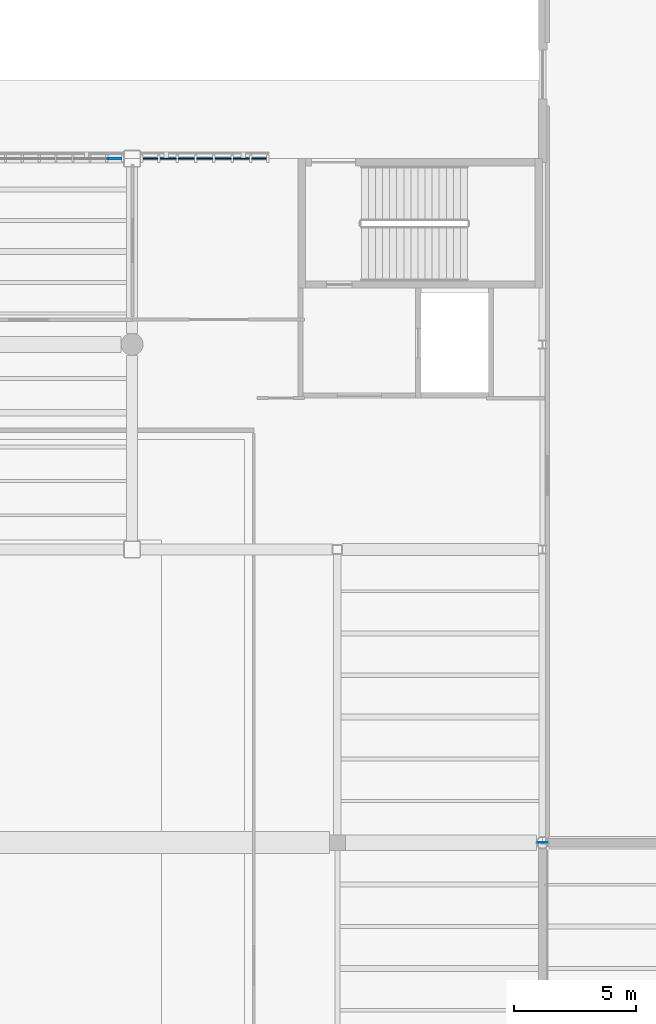
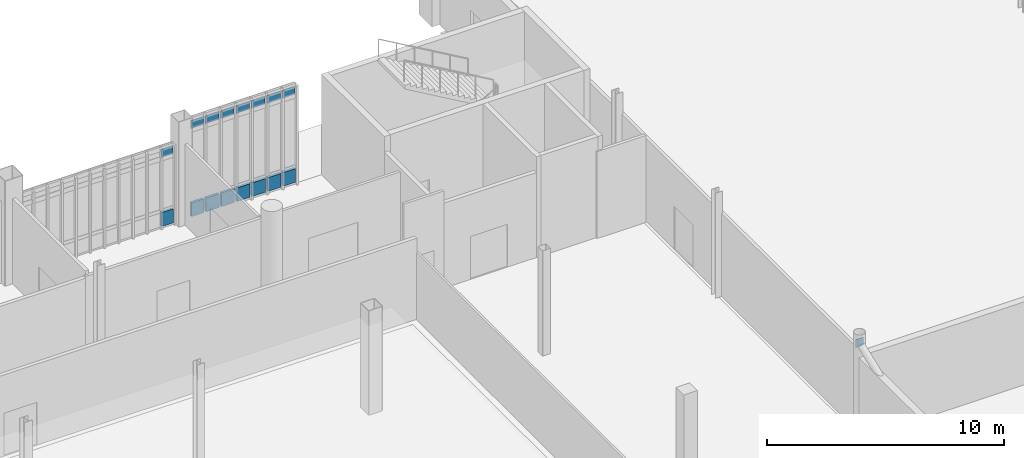
# One storey, part 79 of 111: 17 plates, 2 elements without a shape of their own.
"""IFC4 building model written with IfcOpenShell, lengths in metres."""

from ifc_helpers import new_model, si_unit, direction, frame, origin, origin_2d, place, context, subcontext, project, spatial, rectangle, extrude, material, layer, layer_set, type_object, element, aggregate, save


model = new_model("IFC4")

# Units and contexts
model_context = context("Model", 3, precision=1e-05, world=origin(), true_north=direction((0.0, 1.0)))
body_context = subcontext(model_context, "Body", "Model", "MODEL_VIEW")
ifc_project = project(units=[si_unit("LENGTHUNIT", "METRE"), si_unit("AREAUNIT", "SQUARE_METRE"), si_unit("VOLUMEUNIT", "CUBIC_METRE"), si_unit("PLANEANGLEUNIT", "RADIAN"), si_unit("MASSUNIT", "GRAM", prefix="KILO")], contexts=[model_context])

# Site, building, storey
site_placement = place(None, origin())
site = spatial("IfcSite", under=ifc_project, at=site_placement, CompositionType="ELEMENT")
building_placement = place(site_placement, origin())
building = spatial("IfcBuilding", under=site, at=building_placement, Name="Larkvane Passage Sports Hall", CompositionType="ELEMENT")
storey_placement = place(building_placement, origin())
storey = spatial("IfcBuildingStorey", under=building, at=storey_placement, Name="L00", CompositionType="ELEMENT", Elevation=0.0)

# Curtain wall, plate
ifc_material_1 = material(Name="Thermally broken aluminium and low-E glazing", Category="aluminium")
curtain_wall_type_1 = type_object("IfcCurtainWallType", Name="CW-STICK-FOYER", PredefinedType="USERDEFINED", material=ifc_material_1)
curtain_wall_1_placement = place(storey_placement, origin())
curtain_wall_1 = element("IfcCurtainWall", 1, at=curtain_wall_1_placement, inside=storey, type_object=curtain_wall_type_1, Name="Curtain wall CW5-L00-010", ObjectType="STICK CURTAIN WALL", PredefinedType="USERDEFINED")
ifc_material_2 = material(Name="Fire-stopped shadow-box spandrel panel")
ifc_layer_1 = layer(ifc_material_2, 0.10498046875)
ifc_layer_set_1 = layer_set([ifc_layer_1], Name="Fire-stopped shadow-box spandrel panel")
plate_type_1 = type_object("IfcPlateType", Name="CWP-SPD-105", PredefinedType="CURTAIN_PANEL", material=ifc_layer_set_1)
plate_1_placement = place(storey_placement, frame((76.085693359375, 91.60009765625, 0.08984375), z_axis=(0.0, 0.0, 1.0), x_axis=(1.0, 0.0, 0.0)))
plate_1 = element("IfcPlate", 2, at=plate_1_placement, type_object=plate_type_1, Name="CW-03 panel 11.1", PredefinedType="CURTAIN_PANEL", context=body_context, shape_type="SweptSolid", body=[
    extrude(rectangle(XDim=0.556640625, YDim=0.10498046875, at=origin_2d()), origin(), (0.0, 0.0, 1.0), 0.715087890625),
])

# Curtain wall, plates
curtain_wall_type_2 = type_object("IfcCurtainWallType", Name="CW-CLINIC", PredefinedType="USERDEFINED", material=ifc_material_1)
curtain_wall_2_placement = place(storey_placement, origin())
curtain_wall_2 = element("IfcCurtainWall", 3, at=curtain_wall_2_placement, inside=storey, type_object=curtain_wall_type_2, Name="Curtain wall CW5-L00-011", ObjectType="UNITISED CURTAIN WALL", PredefinedType="USERDEFINED")
ifc_material_3 = material(Name="Deep insulated facade spandrel panel")
ifc_layer_2 = layer(ifc_material_3, 0.125)
ifc_layer_set_2 = layer_set([ifc_layer_2], Name="Deep insulated facade spandrel panel")
plate_type_2 = type_object("IfcPlateType", Name="CWP-SPD-125", PredefinedType="CURTAIN_PANEL", material=ifc_layer_set_2)
plate_2_placement = place(storey_placement, frame((77.54638671875, 91.60009765625, 0.10009765625), z_axis=(0.0, 0.0, 1.0), x_axis=(1.0, 0.0, 0.0)))
plate_2 = element("IfcPlate", 4, at=plate_2_placement, type_object=plate_type_2, Name="CW-05 panel 1.1", PredefinedType="CURTAIN_PANEL", context=body_context, shape_type="SweptSolid", body=[
    extrude(rectangle(XDim=0.6005859375, YDim=0.125, at=origin_2d()), origin(), (0.0, 0.0, 1.0), 0.699951171875),
])
plate_3_placement = place(storey_placement, frame((78.27197265625, 91.60009765625, 0.10009765625), z_axis=(0.0, 0.0, 1.0), x_axis=(1.0, 0.0, 0.0)))
plate_3 = element("IfcPlate", 5, at=plate_3_placement, type_object=plate_type_2, Name="CW-05 panel 2.1", PredefinedType="CURTAIN_PANEL", context=body_context, shape_type="SweptSolid", body=[
    extrude(rectangle(XDim=0.650634765625, YDim=0.125, at=origin_2d()), origin(), (0.0, 0.0, 1.0), 0.699951171875),
])
plate_4_placement = place(storey_placement, frame((79.0224609375, 91.60009765625, 0.10009765625), z_axis=(0.0, 0.0, 1.0), x_axis=(1.0, 0.0, 0.0)))
plate_4 = element("IfcPlate", 6, at=plate_4_placement, type_object=plate_type_2, Name="CW-05 panel 3.1", PredefinedType="CURTAIN_PANEL", context=body_context, shape_type="SweptSolid", body=[
    extrude(rectangle(XDim=0.650634765625, YDim=0.125, at=origin_2d()), origin(), (0.0, 0.0, 1.0), 0.699951171875),
])
plate_5_placement = place(storey_placement, frame((79.77294921875, 91.60009765625, 0.10009765625), z_axis=(0.0, 0.0, 1.0), x_axis=(1.0, 0.0, 0.0)))
plate_5 = element("IfcPlate", 7, at=plate_5_placement, type_object=plate_type_2, Name="CW-05 panel 4.1", PredefinedType="CURTAIN_PANEL", context=body_context, shape_type="SweptSolid", body=[
    extrude(rectangle(XDim=0.650634765625, YDim=0.125, at=origin_2d()), origin(), (0.0, 0.0, 1.0), 0.699951171875),
])
plate_6_placement = place(storey_placement, frame((80.523681640625, 91.60009765625, 0.10009765625), z_axis=(0.0, 0.0, 1.0), x_axis=(1.0, 0.0, 0.0)))
plate_6 = element("IfcPlate", 8, at=plate_6_placement, type_object=plate_type_2, Name="CW-05 panel 5.1", PredefinedType="CURTAIN_PANEL", context=body_context, shape_type="SweptSolid", body=[
    extrude(rectangle(XDim=0.650634765625, YDim=0.125, at=origin_2d()), origin(), (0.0, 0.0, 1.0), 0.699951171875),
])
plate_7_placement = place(storey_placement, frame((81.274169921875, 91.60009765625, 0.10009765625), z_axis=(0.0, 0.0, 1.0), x_axis=(1.0, 0.0, 0.0)))
plate_7 = element("IfcPlate", 9, at=plate_7_placement, type_object=plate_type_2, Name="CW-05 panel 6.1", PredefinedType="CURTAIN_PANEL", context=body_context, shape_type="SweptSolid", body=[
    extrude(rectangle(XDim=0.650634765625, YDim=0.125, at=origin_2d()), origin(), (0.0, 0.0, 1.0), 0.699951171875),
])
plate_8_placement = place(storey_placement, frame((81.999755859375, 91.60009765625, 0.10009765625), z_axis=(0.0, 0.0, 1.0), x_axis=(1.0, 0.0, 0.0)))
plate_8 = element("IfcPlate", 10, at=plate_8_placement, type_object=plate_type_2, Name="CW-05 panel 7.1", PredefinedType="CURTAIN_PANEL", context=body_context, shape_type="SweptSolid", body=[
    extrude(rectangle(XDim=0.6005859375, YDim=0.125, at=origin_2d()), origin(), (0.0, 0.0, 1.0), 0.699951171875),
])

# Plate
ifc_material_4 = material(Name="High-impact court low-E glazing", Category="glass")
ifc_layer_3 = layer(ifc_material_4, 0.035888671875)
ifc_layer_set_3 = layer_set([ifc_layer_3], Name="High-impact court low-E glazing")
plate_type_3 = type_object("IfcPlateType", Name="CWP-VIS-36", PredefinedType="CURTAIN_PANEL", material=ifc_layer_set_3)
plate_9_placement = place(storey_placement, frame((76.085693359375, 91.60009765625, 3.613037109375), z_axis=(0.0, 0.0, 1.0), x_axis=(1.0, 0.0, 0.0)))
plate_9 = element("IfcPlate", 11, at=plate_9_placement, type_object=plate_type_3, Name="CW-03 panel 11.3", PredefinedType="CURTAIN_PANEL", context=body_context, shape_type="SweptSolid", body=[
    extrude(rectangle(XDim=0.556640625, YDim=0.035888671875, at=origin_2d()), origin(), (0.0, 0.0, 1.0), 0.4150390625),
])

aggregate(curtain_wall_1, [plate_1, plate_9])

ifc_material_5 = material(Name="Triple-laminated typhoon glazing", Category="glass")
ifc_layer_4 = layer(ifc_material_5, 0.0419921875)
ifc_layer_set_4 = layer_set([ifc_layer_4], Name="Triple-laminated typhoon glazing")
plate_type_4 = type_object("IfcPlateType", Name="CWP-VIS-42", PredefinedType="CURTAIN_PANEL", material=ifc_layer_set_4)
plate_10_placement = place(storey_placement, frame((77.54638671875, 91.60009765625, 4.60009765625), z_axis=(0.0, 0.0, 1.0), x_axis=(1.0, 0.0, 0.0)))
plate_10 = element("IfcPlate", 12, at=plate_10_placement, type_object=plate_type_4, Name="CW-05 panel 1.3", PredefinedType="CURTAIN_PANEL", context=body_context, shape_type="SweptSolid", body=[
    extrude(rectangle(XDim=0.6005859375, YDim=0.0419921875, at=origin_2d()), origin(), (0.0, 0.0, 1.0), 0.39990234375),
])

plate_11_placement = place(storey_placement, frame((78.27197265625, 91.60009765625, 4.60009765625), z_axis=(0.0, 0.0, 1.0), x_axis=(1.0, 0.0, 0.0)))
plate_11 = element("IfcPlate", 13, at=plate_11_placement, type_object=plate_type_4, Name="CW-05 panel 2.3", PredefinedType="CURTAIN_PANEL", context=body_context, shape_type="SweptSolid", body=[
    extrude(rectangle(XDim=0.650634765625, YDim=0.0419921875, at=origin_2d()), origin(), (0.0, 0.0, 1.0), 0.39990234375),
])

plate_12_placement = place(storey_placement, frame((79.0224609375, 91.60009765625, 4.60009765625), z_axis=(0.0, 0.0, 1.0), x_axis=(1.0, 0.0, 0.0)))
plate_12 = element("IfcPlate", 14, at=plate_12_placement, type_object=plate_type_4, Name="CW-05 panel 3.3", PredefinedType="CURTAIN_PANEL", context=body_context, shape_type="SweptSolid", body=[
    extrude(rectangle(XDim=0.650634765625, YDim=0.0419921875, at=origin_2d()), origin(), (0.0, 0.0, 1.0), 0.39990234375),
])

plate_13_placement = place(storey_placement, frame((79.77294921875, 91.60009765625, 4.60009765625), z_axis=(0.0, 0.0, 1.0), x_axis=(1.0, 0.0, 0.0)))
plate_13 = element("IfcPlate", 15, at=plate_13_placement, type_object=plate_type_4, Name="CW-05 panel 4.3", PredefinedType="CURTAIN_PANEL", context=body_context, shape_type="SweptSolid", body=[
    extrude(rectangle(XDim=0.650634765625, YDim=0.0419921875, at=origin_2d()), origin(), (0.0, 0.0, 1.0), 0.39990234375),
])

plate_14_placement = place(storey_placement, frame((80.523681640625, 91.60009765625, 4.60009765625), z_axis=(0.0, 0.0, 1.0), x_axis=(1.0, 0.0, 0.0)))
plate_14 = element("IfcPlate", 16, at=plate_14_placement, type_object=plate_type_4, Name="CW-05 panel 5.3", PredefinedType="CURTAIN_PANEL", context=body_context, shape_type="SweptSolid", body=[
    extrude(rectangle(XDim=0.650634765625, YDim=0.0419921875, at=origin_2d()), origin(), (0.0, 0.0, 1.0), 0.39990234375),
])

plate_15_placement = place(storey_placement, frame((81.274169921875, 91.60009765625, 4.60009765625), z_axis=(0.0, 0.0, 1.0), x_axis=(1.0, 0.0, 0.0)))
plate_15 = element("IfcPlate", 17, at=plate_15_placement, type_object=plate_type_4, Name="CW-05 panel 6.3", PredefinedType="CURTAIN_PANEL", context=body_context, shape_type="SweptSolid", body=[
    extrude(rectangle(XDim=0.650634765625, YDim=0.0419921875, at=origin_2d()), origin(), (0.0, 0.0, 1.0), 0.39990234375),
])

plate_16_placement = place(storey_placement, frame((81.999755859375, 91.60009765625, 4.60009765625), z_axis=(0.0, 0.0, 1.0), x_axis=(1.0, 0.0, 0.0)))
plate_16 = element("IfcPlate", 18, at=plate_16_placement, type_object=plate_type_4, Name="CW-05 panel 7.3", PredefinedType="CURTAIN_PANEL", context=body_context, shape_type="SweptSolid", body=[
    extrude(rectangle(XDim=0.6005859375, YDim=0.0419921875, at=origin_2d()), origin(), (0.0, 0.0, 1.0), 0.39990234375),
])

aggregate(curtain_wall_2, [plate_2, plate_10, plate_3, plate_11, plate_4, plate_12, plate_5, plate_13, plate_6, plate_14, plate_7, plate_15, plate_8, plate_16])

ifc_material_6 = material(Name="Steel S460N", Category="steel")
ifc_layer_5 = layer(ifc_material_6, 0.02001953125)
ifc_layer_set_5 = layer_set([ifc_layer_5], Name="Steel S460N")
plate_type_5 = type_object("IfcPlateType", Name="PLT-CAP-20", PredefinedType="SHEET", material=ifc_layer_set_5)
plate_17_placement = place(storey_placement, frame((93.60009765625, 63.609375, 4.65234375), z_axis=(0.0, 0.0, 1.0), x_axis=(-1.0, 0.0, 0.0)))
element("IfcPlate", 19, at=plate_17_placement, inside=storey, type_object=plate_type_5, Name="Hollow section sealed end cap plate 0573", PredefinedType="SHEET", context=body_context, shape_type="SweptSolid", body=[
    extrude(rectangle(XDim=0.37890625, YDim=0.028076171875, at=origin_2d()), origin(), (0.0, 0.0, 1.0), 0.402099609375),
])

save(model, "model.ifc")
